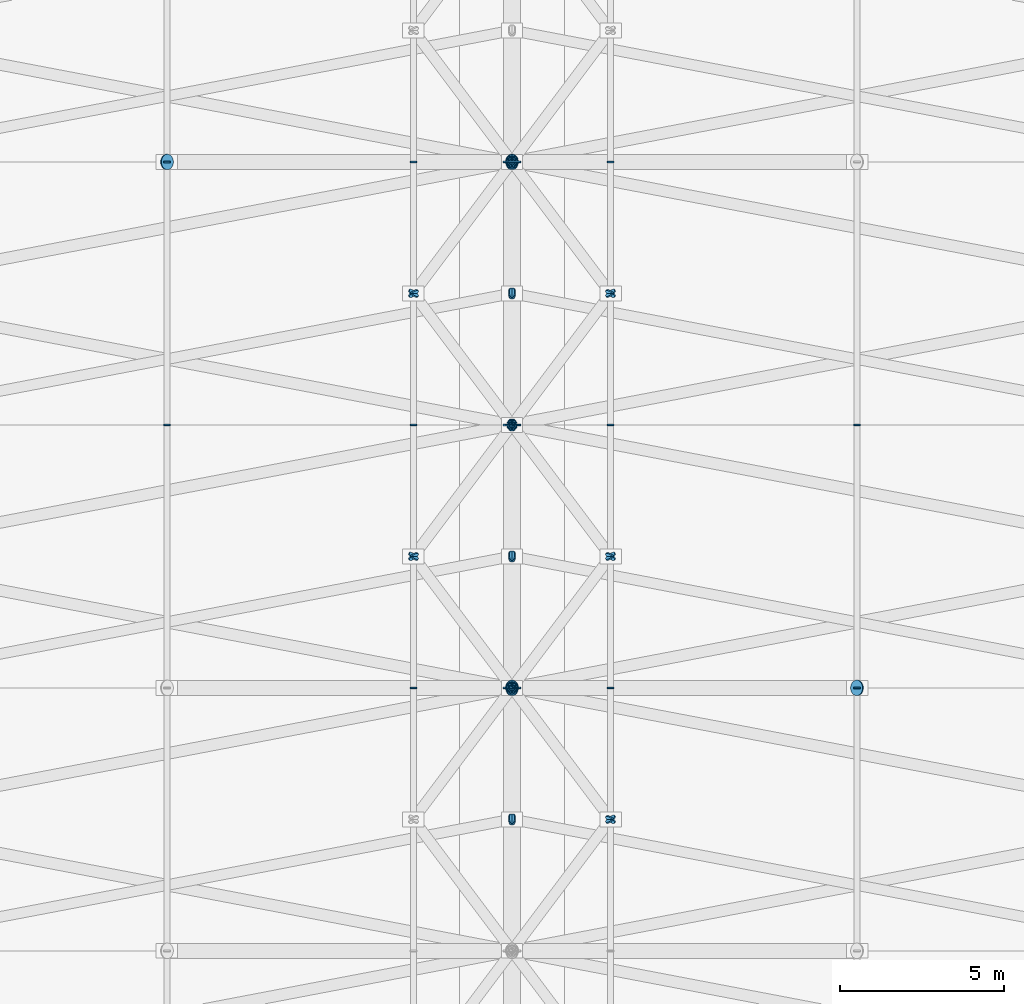
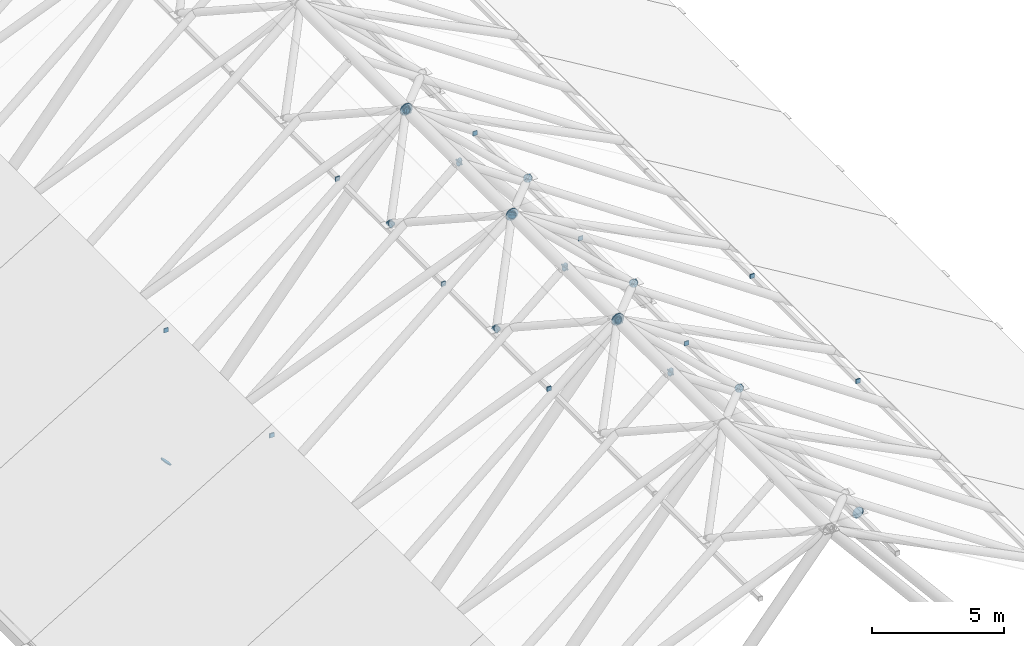
# One storey, part 25 of 44: 72 discrete accessories.
"""IFC4 building model written with IfcOpenShell, lengths in metres."""

from ifc_helpers import new_model, si_unit, direction, frame, origin, origin_2d, place, context, subcontext, project, spatial, rectangle, circle, extrude, material, element, save


model = new_model("IFC4")

# Units and contexts
model_context = context("Model", 3, precision=1e-05, world=origin(), true_north=direction((0.0, 1.0)))
body_context = subcontext(model_context, "Body", "Model", "MODEL_VIEW")
ifc_project = project(units=[si_unit("LENGTHUNIT", "METRE"), si_unit("AREAUNIT", "SQUARE_METRE"), si_unit("VOLUMEUNIT", "CUBIC_METRE"), si_unit("PLANEANGLEUNIT", "RADIAN"), si_unit("MASSUNIT", "GRAM", prefix="KILO")], contexts=[model_context])

# Site, building, storey
site_placement = place(None, origin())
site = spatial("IfcSite", under=ifc_project, at=site_placement, CompositionType="ELEMENT")
building_placement = place(site_placement, origin())
building = spatial("IfcBuilding", under=site, at=building_placement, Name="Marlcrest Central Station", CompositionType="ELEMENT")
storey_placement = place(building_placement, frame((0.0, 0.0, 19.5)))
storey = spatial("IfcBuildingStorey", under=building, at=storey_placement, Name="L04", CompositionType="ELEMENT", Elevation=19.5)

# Discrete accessories
ifc_material = material(Name="Steel S355", Category="steel")
for number, where, z_axis, x_axis, name in (
    (1, (107.98388671875, 38.5, 12.580810546875), (0.640181471429, 0.0, 0.768223719784), (0.0, 1.0, 0.0), "endcap-mem-ST-01-L04-02368-e"),
    (2, (118.509521484375, 38.5, -0.011474609375), (-0.640181471429, 0.0, 0.768223719784), (0.0, -1.0, 0.0), "endcap-mem-ST-01-L04-02369-s"),
    (3, (108.01611328125, 38.5, 12.580810546875), (-0.640181471429, 0.0, 0.768223719784), (0.0, -1.0, 0.0), "endcap-mem-ST-01-L04-02369-e"),
    (4, (97.490478515625, 54.5, -0.011474609375), (0.640181471429, 0.0, 0.768223719784), (0.0, 1.0, 0.0), "endcap-mem-ST-01-L04-02370-s"),
    (5, (107.98388671875, 54.5, 12.580810546875), (0.640181471429, 0.0, 0.768223719784), (0.0, 1.0, 0.0), "endcap-mem-ST-01-L04-02370-e"),
    (6, (108.01611328125, 54.5, 12.580810546875), (-0.640181471429, 0.0, 0.768223719784), (0.0, -1.0, 0.0), "endcap-mem-ST-01-L04-02371-e"),
):
    element("IfcDiscreteAccessory", number, at=place(storey_placement, frame(where, z_axis=z_axis, x_axis=x_axis)), inside=storey, material=ifc_material, Name=name, ObjectType="END_CAP_PLATE", PredefinedType="BRACKET", context=body_context, shape_type="SweptSolid", body=[
        extrude(circle(Radius=0.236572265625, at=origin_2d()), origin(), (0.0, 0.0, 1.0), 0.0400390625),
    ])
discrete_accessory_1_placement = place(storey_placement, frame((108.0, 38.47509765625, 12.60009765625), z_axis=(0.0, 1.0, 0.0), x_axis=(-1.0, 0.0, 0.0)))
element("IfcDiscreteAccessory", 7, at=discrete_accessory_1_placement, inside=storey, material=ifc_material, Name="endcap-mem-SC-SP-L04-02395-e", ObjectType="END_CAP_PLATE", PredefinedType="BRACKET", context=body_context, shape_type="SweptSolid", body=[
    extrude(circle(Radius=0.261962890625, at=origin_2d()), origin(), (0.0, 0.0, 1.0), 0.0400390625),
])
discrete_accessory_2_placement = place(storey_placement, frame((105.0, 38.47509765625, 10.449951171875), z_axis=(0.0, 1.0, 0.0), x_axis=(-1.0, 0.0, 0.0)))
element("IfcDiscreteAccessory", 8, at=discrete_accessory_2_placement, inside=storey, material=ifc_material, Name="endcap-mem-PR-03-L04-02396-e", ObjectType="END_CAP_PLATE", PredefinedType="BRACKET", context=body_context, shape_type="SweptSolid", body=[
    extrude(rectangle(XDim=0.196044921875, YDim=0.196044921875, at=origin_2d()), origin(), (0.0, 0.0, 1.0), 0.0400390625),
])
discrete_accessory_3_placement = place(storey_placement, frame((108.008544921875, 38.51123046875, 12.605224609375), z_axis=(-0.564530690126, -0.752707586834, -0.338727602401), x_axis=(0.8, -0.6, 0.0)))
element("IfcDiscreteAccessory", 9, at=discrete_accessory_3_placement, inside=storey, material=ifc_material, Name="endcap-mem-FB-02-L04-02398-s", ObjectType="END_CAP_PLATE", PredefinedType="BRACKET", context=body_context, shape_type="SweptSolid", body=[
    extrude(circle(Radius=0.169921875, at=origin_2d()), origin(), (0.0, 0.0, 1.0), 0.0400390625),
])
discrete_accessory_4_placement = place(storey_placement, frame((111.0, 38.47509765625, 10.449951171875), z_axis=(0.0, 1.0, 0.0), x_axis=(-1.0, 0.0, 0.0)))
element("IfcDiscreteAccessory", 10, at=discrete_accessory_4_placement, inside=storey, material=ifc_material, Name="endcap-mem-PR-03-L04-02399-e", ObjectType="END_CAP_PLATE", PredefinedType="BRACKET", context=body_context, shape_type="SweptSolid", body=[
    extrude(rectangle(XDim=0.196044921875, YDim=0.196044921875, at=origin_2d()), origin(), (0.0, 0.0, 1.0), 0.0400390625),
])
for number, where, z_axis, x_axis, name in (
    (11, (110.98583984375, 34.481201171875, 10.80859375), (0.564530690126, 0.752707586834, -0.338727602401), (-0.8, 0.6, 0.0), "endcap-mem-FB-02-L04-02400-e"),
    (12, (107.991455078125, 38.51123046875, 12.605224609375), (0.564530690126, -0.752707586834, -0.338727602401), (0.8, 0.6, 0.0), "endcap-mem-FB-02-L04-02401-s"),
    (13, (110.98583984375, 34.518798828125, 10.80859375), (0.564530690126, -0.752707586834, -0.338727602401), (0.8, 0.6, 0.0), "endcap-mem-FB-02-L04-02401-e"),
):
    element("IfcDiscreteAccessory", number, at=place(storey_placement, frame(where, z_axis=z_axis, x_axis=x_axis)), inside=storey, material=ifc_material, Name=name, ObjectType="END_CAP_PLATE", PredefinedType="BRACKET", context=body_context, shape_type="SweptSolid", body=[
        extrude(circle(Radius=0.169921875, at=origin_2d()), origin(), (0.0, 0.0, 1.0), 0.0400390625),
    ])
discrete_accessory_5_placement = place(storey_placement, frame((108.0126953125, 38.50244140625, 12.607666015625), z_axis=(-0.846277296716, -0.161195675565, -0.507770313471), x_axis=(0.18711210789, -0.982338566422, 0.0)))
element("IfcDiscreteAccessory", 14, at=discrete_accessory_5_placement, inside=storey, material=ifc_material, Name="endcap-mem-FB-01-L04-02403-s", ObjectType="END_CAP_PLATE", PredefinedType="BRACKET", context=body_context, shape_type="SweptSolid", body=[
    extrude(circle(Radius=0.185791015625, at=origin_2d()), origin(), (0.0, 0.0, 1.0), 0.0400390625),
])
discrete_accessory_6_placement = place(storey_placement, frame((108.0126953125, 34.50244140625, 12.607666015625), z_axis=(-0.846277296716, -0.161195675565, -0.507770313471), x_axis=(0.18711210789, -0.982338566422, 0.0)))
element("IfcDiscreteAccessory", 15, at=discrete_accessory_6_placement, inside=storey, material=ifc_material, Name="endcap-mem-FB-02-L04-02404-s", ObjectType="END_CAP_PLATE", PredefinedType="BRACKET", context=body_context, shape_type="SweptSolid", body=[
    extrude(circle(Radius=0.169921875, at=origin_2d()), origin(), (0.0, 0.0, 1.0), 0.0400390625),
])
discrete_accessory_7_placement = place(storey_placement, frame((107.9873046875, 38.50244140625, 12.607666015625), z_axis=(0.846277296716, -0.161195675565, -0.507770313471), x_axis=(0.18711210789, 0.982338566422, 0.0)))
element("IfcDiscreteAccessory", 16, at=discrete_accessory_7_placement, inside=storey, material=ifc_material, Name="endcap-mem-FB-01-L04-02407-s", ObjectType="END_CAP_PLATE", PredefinedType="BRACKET", context=body_context, shape_type="SweptSolid", body=[
    extrude(circle(Radius=0.185791015625, at=origin_2d()), origin(), (0.0, 0.0, 1.0), 0.0400390625),
])
discrete_accessory_8_placement = place(storey_placement, frame((107.9873046875, 34.50244140625, 12.607666015625), z_axis=(0.846277296716, -0.161195675565, -0.507770313471), x_axis=(0.18711210789, 0.982338566422, 0.0)))
element("IfcDiscreteAccessory", 17, at=discrete_accessory_8_placement, inside=storey, material=ifc_material, Name="endcap-mem-FB-02-L04-02408-s", ObjectType="END_CAP_PLATE", PredefinedType="BRACKET", context=body_context, shape_type="SweptSolid", body=[
    extrude(circle(Radius=0.169921875, at=origin_2d()), origin(), (0.0, 0.0, 1.0), 0.0400390625),
])
discrete_accessory_9_placement = place(storey_placement, frame((118.5, 38.47509765625, 6.080078125), z_axis=(0.0, 1.0, 0.0), x_axis=(-1.0, 0.0, 0.0)))
element("IfcDiscreteAccessory", 18, at=discrete_accessory_9_placement, inside=storey, material=ifc_material, Name="endcap-mem-PR-03-L04-02409-e", ObjectType="END_CAP_PLATE", PredefinedType="BRACKET", context=body_context, shape_type="SweptSolid", body=[
    extrude(rectangle(XDim=0.196044921875, YDim=0.196044921875, at=origin_2d()), origin(), (0.0, 0.0, 1.0), 0.0400390625),
])
for number, where, z_axis, x_axis, name in (
    (19, (108.0, 38.485107421875, 12.60009765625), (0.0, 1.0, 0.0), (-1.0, 0.0, 0.0), "endcap-mem-SC-SP-L04-02410-s"),
    (20, (108.0, 46.47509765625, 12.60009765625), (0.0, 1.0, 0.0), (-1.0, 0.0, 0.0), "endcap-mem-SC-SP-L04-02410-e"),
):
    element("IfcDiscreteAccessory", number, at=place(storey_placement, frame(where, z_axis=z_axis, x_axis=x_axis)), inside=storey, material=ifc_material, Name=name, ObjectType="END_CAP_PLATE", PredefinedType="BRACKET", context=body_context, shape_type="SweptSolid", body=[
        extrude(circle(Radius=0.261962890625, at=origin_2d()), origin(), (0.0, 0.0, 1.0), 0.0400390625),
    ])
for number, where, z_axis, x_axis, name in (
    (21, (105.0, 38.485107421875, 10.449951171875), (0.0, 1.0, 0.0), (-1.0, 0.0, 0.0), "endcap-mem-PR-03-L04-02411-s"),
    (22, (105.0, 46.47509765625, 10.449951171875), (0.0, 1.0, 0.0), (-1.0, 0.0, 0.0), "endcap-mem-PR-03-L04-02411-e"),
):
    element("IfcDiscreteAccessory", number, at=place(storey_placement, frame(where, z_axis=z_axis, x_axis=x_axis)), inside=storey, material=ifc_material, Name=name, ObjectType="END_CAP_PLATE", PredefinedType="BRACKET", context=body_context, shape_type="SweptSolid", body=[
        extrude(rectangle(XDim=0.196044921875, YDim=0.196044921875, at=origin_2d()), origin(), (0.0, 0.0, 1.0), 0.0400390625),
    ])
for number, where, z_axis, x_axis, name in (
    (23, (108.008544921875, 38.48876953125, 12.605224609375), (-0.564530690126, 0.752707586834, -0.338727602401), (-0.8, -0.6, 0.0), "endcap-mem-FB-02-L04-02412-s"),
    (24, (105.01416015625, 42.481201171875, 10.80859375), (-0.564530690126, 0.752707586834, -0.338727602401), (-0.8, -0.6, 0.0), "endcap-mem-FB-02-L04-02412-e"),
    (25, (108.008544921875, 46.51123046875, 12.605224609375), (-0.564530690126, -0.752707586834, -0.338727602401), (0.8, -0.6, 0.0), "endcap-mem-FB-02-L04-02413-s"),
    (26, (105.01416015625, 42.518798828125, 10.80859375), (-0.564530690126, -0.752707586834, -0.338727602401), (0.8, -0.6, 0.0), "endcap-mem-FB-02-L04-02413-e"),
):
    element("IfcDiscreteAccessory", number, at=place(storey_placement, frame(where, z_axis=z_axis, x_axis=x_axis)), inside=storey, material=ifc_material, Name=name, ObjectType="END_CAP_PLATE", PredefinedType="BRACKET", context=body_context, shape_type="SweptSolid", body=[
        extrude(circle(Radius=0.169921875, at=origin_2d()), origin(), (0.0, 0.0, 1.0), 0.0400390625),
    ])
for number, where, z_axis, x_axis, name in (
    (27, (111.0, 38.485107421875, 10.449951171875), (0.0, 1.0, 0.0), (-1.0, 0.0, 0.0), "endcap-mem-PR-03-L04-02414-s"),
    (28, (111.0, 46.47509765625, 10.449951171875), (0.0, 1.0, 0.0), (-1.0, 0.0, 0.0), "endcap-mem-PR-03-L04-02414-e"),
):
    element("IfcDiscreteAccessory", number, at=place(storey_placement, frame(where, z_axis=z_axis, x_axis=x_axis)), inside=storey, material=ifc_material, Name=name, ObjectType="END_CAP_PLATE", PredefinedType="BRACKET", context=body_context, shape_type="SweptSolid", body=[
        extrude(rectangle(XDim=0.196044921875, YDim=0.196044921875, at=origin_2d()), origin(), (0.0, 0.0, 1.0), 0.0400390625),
    ])
for number, where, z_axis, x_axis, name in (
    (29, (107.991455078125, 38.48876953125, 12.605224609375), (0.564530690126, 0.752707586834, -0.338727602401), (-0.8, 0.6, 0.0), "endcap-mem-FB-02-L04-02415-s"),
    (30, (110.98583984375, 42.481201171875, 10.80859375), (0.564530690126, 0.752707586834, -0.338727602401), (-0.8, 0.6, 0.0), "endcap-mem-FB-02-L04-02415-e"),
    (31, (107.991455078125, 46.51123046875, 12.605224609375), (0.564530690126, -0.752707586834, -0.338727602401), (0.8, 0.6, 0.0), "endcap-mem-FB-02-L04-02416-s"),
    (32, (110.98583984375, 42.518798828125, 10.80859375), (0.564530690126, -0.752707586834, -0.338727602401), (0.8, 0.6, 0.0), "endcap-mem-FB-02-L04-02416-e"),
):
    element("IfcDiscreteAccessory", number, at=place(storey_placement, frame(where, z_axis=z_axis, x_axis=x_axis)), inside=storey, material=ifc_material, Name=name, ObjectType="END_CAP_PLATE", PredefinedType="BRACKET", context=body_context, shape_type="SweptSolid", body=[
        extrude(circle(Radius=0.169921875, at=origin_2d()), origin(), (0.0, 0.0, 1.0), 0.0400390625),
    ])
for number, where, z_axis, x_axis, name in (
    (33, (108.0126953125, 38.49755859375, 12.607666015625), (-0.846277296716, 0.161195675565, -0.507770313471), (-0.18711210789, -0.982338566422, 0.0), "endcap-mem-FB-01-L04-02417-s"),
    (34, (108.0126953125, 46.50244140625, 12.607666015625), (-0.846277296716, -0.161195675565, -0.507770313471), (0.18711210789, -0.982338566422, 0.0), "endcap-mem-FB-01-L04-02418-s"),
):
    element("IfcDiscreteAccessory", number, at=place(storey_placement, frame(where, z_axis=z_axis, x_axis=x_axis)), inside=storey, material=ifc_material, Name=name, ObjectType="END_CAP_PLATE", PredefinedType="BRACKET", context=body_context, shape_type="SweptSolid", body=[
        extrude(circle(Radius=0.185791015625, at=origin_2d()), origin(), (0.0, 0.0, 1.0), 0.0400390625),
    ])
discrete_accessory_10_placement = place(storey_placement, frame((108.0126953125, 42.50244140625, 12.607666015625), z_axis=(-0.846277296716, -0.161195675565, -0.507770313471), x_axis=(0.18711210789, -0.982338566422, 0.0)))
element("IfcDiscreteAccessory", 35, at=discrete_accessory_10_placement, inside=storey, material=ifc_material, Name="endcap-mem-FB-02-L04-02419-s", ObjectType="END_CAP_PLATE", PredefinedType="BRACKET", context=body_context, shape_type="SweptSolid", body=[
    extrude(circle(Radius=0.169921875, at=origin_2d()), origin(), (0.0, 0.0, 1.0), 0.0400390625),
])
discrete_accessory_11_placement = place(storey_placement, frame((97.5, 46.47509765625, 6.080078125), z_axis=(0.0, 1.0, 0.0), x_axis=(-1.0, 0.0, 0.0)))
element("IfcDiscreteAccessory", 36, at=discrete_accessory_11_placement, inside=storey, material=ifc_material, Name="endcap-mem-PR-03-L04-02420-e", ObjectType="END_CAP_PLATE", PredefinedType="BRACKET", context=body_context, shape_type="SweptSolid", body=[
    extrude(rectangle(XDim=0.196044921875, YDim=0.196044921875, at=origin_2d()), origin(), (0.0, 0.0, 1.0), 0.0400390625),
])
for number, where, z_axis, x_axis, name in (
    (37, (107.9873046875, 38.49755859375, 12.607666015625), (0.846277296716, 0.161195675565, -0.507770313471), (-0.18711210789, 0.982338566422, 0.0), "endcap-mem-FB-01-L04-02421-s"),
    (38, (107.9873046875, 46.50244140625, 12.607666015625), (0.846277296716, -0.161195675565, -0.507770313471), (0.18711210789, 0.982338566422, 0.0), "endcap-mem-FB-01-L04-02422-s"),
):
    element("IfcDiscreteAccessory", number, at=place(storey_placement, frame(where, z_axis=z_axis, x_axis=x_axis)), inside=storey, material=ifc_material, Name=name, ObjectType="END_CAP_PLATE", PredefinedType="BRACKET", context=body_context, shape_type="SweptSolid", body=[
        extrude(circle(Radius=0.185791015625, at=origin_2d()), origin(), (0.0, 0.0, 1.0), 0.0400390625),
    ])
discrete_accessory_12_placement = place(storey_placement, frame((107.9873046875, 42.50244140625, 12.607666015625), z_axis=(0.846277296716, -0.161195675565, -0.507770313471), x_axis=(0.18711210789, 0.982338566422, 0.0)))
element("IfcDiscreteAccessory", 39, at=discrete_accessory_12_placement, inside=storey, material=ifc_material, Name="endcap-mem-FB-02-L04-02423-s", ObjectType="END_CAP_PLATE", PredefinedType="BRACKET", context=body_context, shape_type="SweptSolid", body=[
    extrude(circle(Radius=0.169921875, at=origin_2d()), origin(), (0.0, 0.0, 1.0), 0.0400390625),
])
for number, where, z_axis, x_axis, name in (
    (40, (118.5, 38.485107421875, 6.080078125), (0.0, 1.0, 0.0), (-1.0, 0.0, 0.0), "endcap-mem-PR-03-L04-02424-s"),
    (41, (118.5, 46.47509765625, 6.080078125), (0.0, 1.0, 0.0), (-1.0, 0.0, 0.0), "endcap-mem-PR-03-L04-02424-e"),
):
    element("IfcDiscreteAccessory", number, at=place(storey_placement, frame(where, z_axis=z_axis, x_axis=x_axis)), inside=storey, material=ifc_material, Name=name, ObjectType="END_CAP_PLATE", PredefinedType="BRACKET", context=body_context, shape_type="SweptSolid", body=[
        extrude(rectangle(XDim=0.196044921875, YDim=0.196044921875, at=origin_2d()), origin(), (0.0, 0.0, 1.0), 0.0400390625),
    ])
for number, where, z_axis, x_axis, name in (
    (42, (108.0, 46.485107421875, 12.60009765625), (0.0, 1.0, 0.0), (-1.0, 0.0, 0.0), "endcap-mem-SC-SP-L04-02425-s"),
    (43, (108.0, 54.47509765625, 12.60009765625), (0.0, 1.0, 0.0), (-1.0, 0.0, 0.0), "endcap-mem-SC-SP-L04-02425-e"),
):
    element("IfcDiscreteAccessory", number, at=place(storey_placement, frame(where, z_axis=z_axis, x_axis=x_axis)), inside=storey, material=ifc_material, Name=name, ObjectType="END_CAP_PLATE", PredefinedType="BRACKET", context=body_context, shape_type="SweptSolid", body=[
        extrude(circle(Radius=0.261962890625, at=origin_2d()), origin(), (0.0, 0.0, 1.0), 0.0400390625),
    ])
for number, where, z_axis, x_axis, name in (
    (44, (105.0, 46.485107421875, 10.449951171875), (0.0, 1.0, 0.0), (-1.0, 0.0, 0.0), "endcap-mem-PR-03-L04-02426-s"),
    (45, (105.0, 54.47509765625, 10.449951171875), (0.0, 1.0, 0.0), (-1.0, 0.0, 0.0), "endcap-mem-PR-03-L04-02426-e"),
):
    element("IfcDiscreteAccessory", number, at=place(storey_placement, frame(where, z_axis=z_axis, x_axis=x_axis)), inside=storey, material=ifc_material, Name=name, ObjectType="END_CAP_PLATE", PredefinedType="BRACKET", context=body_context, shape_type="SweptSolid", body=[
        extrude(rectangle(XDim=0.196044921875, YDim=0.196044921875, at=origin_2d()), origin(), (0.0, 0.0, 1.0), 0.0400390625),
    ])
for number, where, z_axis, x_axis, name in (
    (46, (108.008544921875, 46.48876953125, 12.605224609375), (-0.564530690126, 0.752707586834, -0.338727602401), (-0.8, -0.6, 0.0), "endcap-mem-FB-02-L04-02427-s"),
    (47, (105.01416015625, 50.481201171875, 10.80859375), (-0.564530690126, 0.752707586834, -0.338727602401), (-0.8, -0.6, 0.0), "endcap-mem-FB-02-L04-02427-e"),
    (48, (108.008544921875, 54.51123046875, 12.605224609375), (-0.564530690126, -0.752707586834, -0.338727602401), (0.8, -0.6, 0.0), "endcap-mem-FB-02-L04-02428-s"),
    (49, (105.01416015625, 50.518798828125, 10.80859375), (-0.564530690126, -0.752707586834, -0.338727602401), (0.8, -0.6, 0.0), "endcap-mem-FB-02-L04-02428-e"),
):
    element("IfcDiscreteAccessory", number, at=place(storey_placement, frame(where, z_axis=z_axis, x_axis=x_axis)), inside=storey, material=ifc_material, Name=name, ObjectType="END_CAP_PLATE", PredefinedType="BRACKET", context=body_context, shape_type="SweptSolid", body=[
        extrude(circle(Radius=0.169921875, at=origin_2d()), origin(), (0.0, 0.0, 1.0), 0.0400390625),
    ])
for number, where, z_axis, x_axis, name in (
    (50, (111.0, 46.485107421875, 10.449951171875), (0.0, 1.0, 0.0), (-1.0, 0.0, 0.0), "endcap-mem-PR-03-L04-02429-s"),
    (51, (111.0, 54.47509765625, 10.449951171875), (0.0, 1.0, 0.0), (-1.0, 0.0, 0.0), "endcap-mem-PR-03-L04-02429-e"),
):
    element("IfcDiscreteAccessory", number, at=place(storey_placement, frame(where, z_axis=z_axis, x_axis=x_axis)), inside=storey, material=ifc_material, Name=name, ObjectType="END_CAP_PLATE", PredefinedType="BRACKET", context=body_context, shape_type="SweptSolid", body=[
        extrude(rectangle(XDim=0.196044921875, YDim=0.196044921875, at=origin_2d()), origin(), (0.0, 0.0, 1.0), 0.0400390625),
    ])
for number, where, z_axis, x_axis, name in (
    (52, (107.991455078125, 46.48876953125, 12.605224609375), (0.564530690126, 0.752707586834, -0.338727602401), (-0.8, 0.6, 0.0), "endcap-mem-FB-02-L04-02430-s"),
    (53, (110.98583984375, 50.481201171875, 10.80859375), (0.564530690126, 0.752707586834, -0.338727602401), (-0.8, 0.6, 0.0), "endcap-mem-FB-02-L04-02430-e"),
    (54, (107.991455078125, 54.51123046875, 12.605224609375), (0.564530690126, -0.752707586834, -0.338727602401), (0.8, 0.6, 0.0), "endcap-mem-FB-02-L04-02431-s"),
    (55, (110.98583984375, 50.518798828125, 10.80859375), (0.564530690126, -0.752707586834, -0.338727602401), (0.8, 0.6, 0.0), "endcap-mem-FB-02-L04-02431-e"),
):
    element("IfcDiscreteAccessory", number, at=place(storey_placement, frame(where, z_axis=z_axis, x_axis=x_axis)), inside=storey, material=ifc_material, Name=name, ObjectType="END_CAP_PLATE", PredefinedType="BRACKET", context=body_context, shape_type="SweptSolid", body=[
        extrude(circle(Radius=0.169921875, at=origin_2d()), origin(), (0.0, 0.0, 1.0), 0.0400390625),
    ])
for number, where, z_axis, x_axis, name in (
    (56, (108.0126953125, 46.49755859375, 12.607666015625), (-0.846277296716, 0.161195675565, -0.507770313471), (-0.18711210789, -0.982338566422, 0.0), "endcap-mem-FB-01-L04-02432-s"),
    (57, (108.0126953125, 54.50244140625, 12.607666015625), (-0.846277296716, -0.161195675565, -0.507770313471), (0.18711210789, -0.982338566422, 0.0), "endcap-mem-FB-01-L04-02433-s"),
):
    element("IfcDiscreteAccessory", number, at=place(storey_placement, frame(where, z_axis=z_axis, x_axis=x_axis)), inside=storey, material=ifc_material, Name=name, ObjectType="END_CAP_PLATE", PredefinedType="BRACKET", context=body_context, shape_type="SweptSolid", body=[
        extrude(circle(Radius=0.185791015625, at=origin_2d()), origin(), (0.0, 0.0, 1.0), 0.0400390625),
    ])
discrete_accessory_13_placement = place(storey_placement, frame((108.0126953125, 50.50244140625, 12.607666015625), z_axis=(-0.846277296716, -0.161195675565, -0.507770313471), x_axis=(0.18711210789, -0.982338566422, 0.0)))
element("IfcDiscreteAccessory", 58, at=discrete_accessory_13_placement, inside=storey, material=ifc_material, Name="endcap-mem-FB-02-L04-02434-s", ObjectType="END_CAP_PLATE", PredefinedType="BRACKET", context=body_context, shape_type="SweptSolid", body=[
    extrude(circle(Radius=0.169921875, at=origin_2d()), origin(), (0.0, 0.0, 1.0), 0.0400390625),
])
for number, where, z_axis, x_axis, name in (
    (59, (97.5, 46.485107421875, 6.080078125), (0.0, 1.0, 0.0), (-1.0, 0.0, 0.0), "endcap-mem-PR-03-L04-02435-s"),
    (60, (97.5, 54.47509765625, 6.080078125), (0.0, 1.0, 0.0), (-1.0, 0.0, 0.0), "endcap-mem-PR-03-L04-02435-e"),
):
    element("IfcDiscreteAccessory", number, at=place(storey_placement, frame(where, z_axis=z_axis, x_axis=x_axis)), inside=storey, material=ifc_material, Name=name, ObjectType="END_CAP_PLATE", PredefinedType="BRACKET", context=body_context, shape_type="SweptSolid", body=[
        extrude(rectangle(XDim=0.196044921875, YDim=0.196044921875, at=origin_2d()), origin(), (0.0, 0.0, 1.0), 0.0400390625),
    ])
for number, where, z_axis, x_axis, name in (
    (61, (107.9873046875, 46.49755859375, 12.607666015625), (0.846277296716, 0.161195675565, -0.507770313471), (-0.18711210789, 0.982338566422, 0.0), "endcap-mem-FB-01-L04-02436-s"),
    (62, (107.9873046875, 54.50244140625, 12.607666015625), (0.846277296716, -0.161195675565, -0.507770313471), (0.18711210789, 0.982338566422, 0.0), "endcap-mem-FB-01-L04-02437-s"),
):
    element("IfcDiscreteAccessory", number, at=place(storey_placement, frame(where, z_axis=z_axis, x_axis=x_axis)), inside=storey, material=ifc_material, Name=name, ObjectType="END_CAP_PLATE", PredefinedType="BRACKET", context=body_context, shape_type="SweptSolid", body=[
        extrude(circle(Radius=0.185791015625, at=origin_2d()), origin(), (0.0, 0.0, 1.0), 0.0400390625),
    ])
discrete_accessory_14_placement = place(storey_placement, frame((107.9873046875, 50.50244140625, 12.607666015625), z_axis=(0.846277296716, -0.161195675565, -0.507770313471), x_axis=(0.18711210789, 0.982338566422, 0.0)))
element("IfcDiscreteAccessory", 63, at=discrete_accessory_14_placement, inside=storey, material=ifc_material, Name="endcap-mem-FB-02-L04-02438-s", ObjectType="END_CAP_PLATE", PredefinedType="BRACKET", context=body_context, shape_type="SweptSolid", body=[
    extrude(circle(Radius=0.169921875, at=origin_2d()), origin(), (0.0, 0.0, 1.0), 0.0400390625),
])
discrete_accessory_15_placement = place(storey_placement, frame((118.5, 46.485107421875, 6.080078125), z_axis=(0.0, 1.0, 0.0), x_axis=(-1.0, 0.0, 0.0)))
element("IfcDiscreteAccessory", 64, at=discrete_accessory_15_placement, inside=storey, material=ifc_material, Name="endcap-mem-PR-03-L04-02439-s", ObjectType="END_CAP_PLATE", PredefinedType="BRACKET", context=body_context, shape_type="SweptSolid", body=[
    extrude(rectangle(XDim=0.196044921875, YDim=0.196044921875, at=origin_2d()), origin(), (0.0, 0.0, 1.0), 0.0400390625),
])
discrete_accessory_16_placement = place(storey_placement, frame((108.0, 54.485107421875, 12.60009765625), z_axis=(0.0, 1.0, 0.0), x_axis=(-1.0, 0.0, 0.0)))
element("IfcDiscreteAccessory", 65, at=discrete_accessory_16_placement, inside=storey, material=ifc_material, Name="endcap-mem-SC-SP-L04-02440-s", ObjectType="END_CAP_PLATE", PredefinedType="BRACKET", context=body_context, shape_type="SweptSolid", body=[
    extrude(circle(Radius=0.261962890625, at=origin_2d()), origin(), (0.0, 0.0, 1.0), 0.0400390625),
])
discrete_accessory_17_placement = place(storey_placement, frame((105.0, 54.485107421875, 10.449951171875), z_axis=(0.0, 1.0, 0.0), x_axis=(-1.0, 0.0, 0.0)))
element("IfcDiscreteAccessory", 66, at=discrete_accessory_17_placement, inside=storey, material=ifc_material, Name="endcap-mem-PR-03-L04-02441-s", ObjectType="END_CAP_PLATE", PredefinedType="BRACKET", context=body_context, shape_type="SweptSolid", body=[
    extrude(rectangle(XDim=0.196044921875, YDim=0.196044921875, at=origin_2d()), origin(), (0.0, 0.0, 1.0), 0.0400390625),
])
discrete_accessory_18_placement = place(storey_placement, frame((108.008544921875, 54.48876953125, 12.605224609375), z_axis=(-0.564530690126, 0.752707586834, -0.338727602401), x_axis=(-0.8, -0.6, 0.0)))
element("IfcDiscreteAccessory", 67, at=discrete_accessory_18_placement, inside=storey, material=ifc_material, Name="endcap-mem-FB-02-L04-02442-s", ObjectType="END_CAP_PLATE", PredefinedType="BRACKET", context=body_context, shape_type="SweptSolid", body=[
    extrude(circle(Radius=0.169921875, at=origin_2d()), origin(), (0.0, 0.0, 1.0), 0.0400390625),
])
discrete_accessory_19_placement = place(storey_placement, frame((111.0, 54.485107421875, 10.449951171875), z_axis=(0.0, 1.0, 0.0), x_axis=(-1.0, 0.0, 0.0)))
element("IfcDiscreteAccessory", 68, at=discrete_accessory_19_placement, inside=storey, material=ifc_material, Name="endcap-mem-PR-03-L04-02444-s", ObjectType="END_CAP_PLATE", PredefinedType="BRACKET", context=body_context, shape_type="SweptSolid", body=[
    extrude(rectangle(XDim=0.196044921875, YDim=0.196044921875, at=origin_2d()), origin(), (0.0, 0.0, 1.0), 0.0400390625),
])
discrete_accessory_20_placement = place(storey_placement, frame((107.991455078125, 54.48876953125, 12.605224609375), z_axis=(0.564530690126, 0.752707586834, -0.338727602401), x_axis=(-0.8, 0.6, 0.0)))
element("IfcDiscreteAccessory", 69, at=discrete_accessory_20_placement, inside=storey, material=ifc_material, Name="endcap-mem-FB-02-L04-02445-s", ObjectType="END_CAP_PLATE", PredefinedType="BRACKET", context=body_context, shape_type="SweptSolid", body=[
    extrude(circle(Radius=0.169921875, at=origin_2d()), origin(), (0.0, 0.0, 1.0), 0.0400390625),
])
discrete_accessory_21_placement = place(storey_placement, frame((108.0126953125, 54.49755859375, 12.607666015625), z_axis=(-0.846277296716, 0.161195675565, -0.507770313471), x_axis=(-0.18711210789, -0.982338566422, 0.0)))
element("IfcDiscreteAccessory", 70, at=discrete_accessory_21_placement, inside=storey, material=ifc_material, Name="endcap-mem-FB-01-L04-02447-s", ObjectType="END_CAP_PLATE", PredefinedType="BRACKET", context=body_context, shape_type="SweptSolid", body=[
    extrude(circle(Radius=0.185791015625, at=origin_2d()), origin(), (0.0, 0.0, 1.0), 0.0400390625),
])
discrete_accessory_22_placement = place(storey_placement, frame((97.5, 54.485107421875, 6.080078125), z_axis=(0.0, 1.0, 0.0), x_axis=(-1.0, 0.0, 0.0)))
element("IfcDiscreteAccessory", 71, at=discrete_accessory_22_placement, inside=storey, material=ifc_material, Name="endcap-mem-PR-03-L04-02450-s", ObjectType="END_CAP_PLATE", PredefinedType="BRACKET", context=body_context, shape_type="SweptSolid", body=[
    extrude(rectangle(XDim=0.196044921875, YDim=0.196044921875, at=origin_2d()), origin(), (0.0, 0.0, 1.0), 0.0400390625),
])
discrete_accessory_23_placement = place(storey_placement, frame((107.9873046875, 54.49755859375, 12.607666015625), z_axis=(0.846277296716, 0.161195675565, -0.507770313471), x_axis=(-0.18711210789, 0.982338566422, 0.0)))
element("IfcDiscreteAccessory", 72, at=discrete_accessory_23_placement, inside=storey, material=ifc_material, Name="endcap-mem-FB-01-L04-02451-s", ObjectType="END_CAP_PLATE", PredefinedType="BRACKET", context=body_context, shape_type="SweptSolid", body=[
    extrude(circle(Radius=0.185791015625, at=origin_2d()), origin(), (0.0, 0.0, 1.0), 0.0400390625),
])

save(model, "model.ifc")
